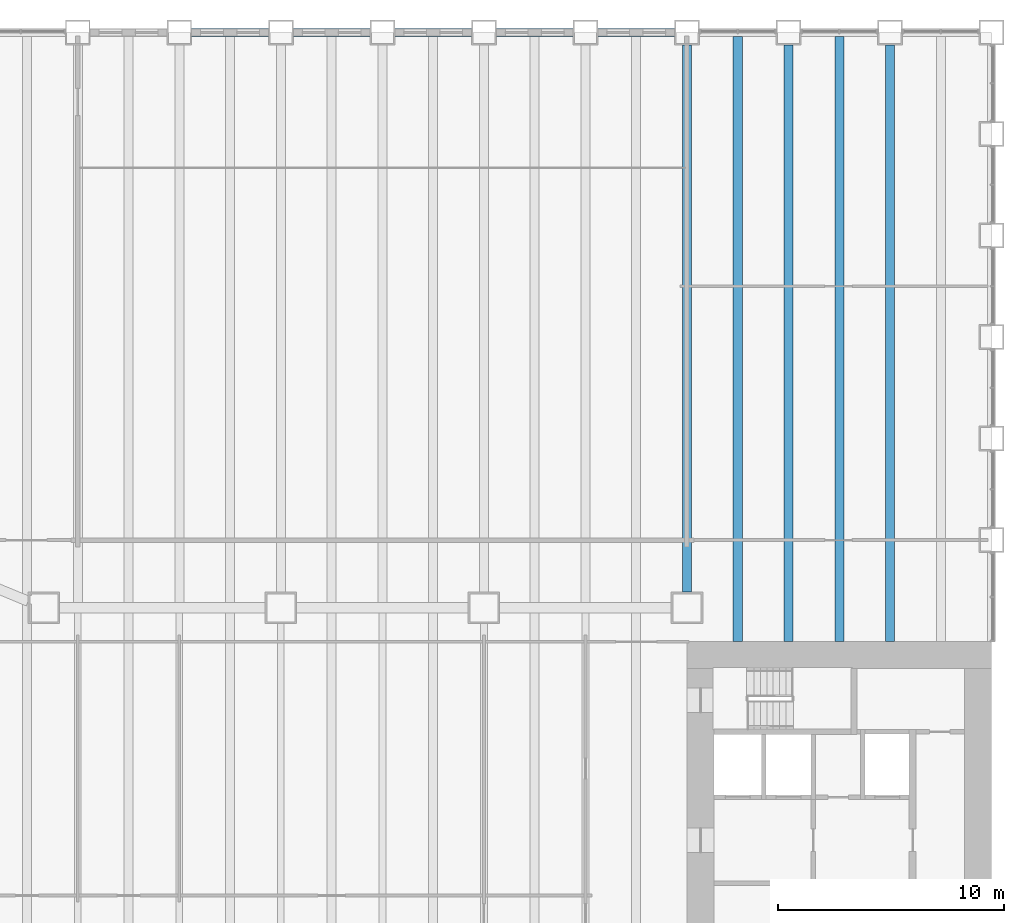
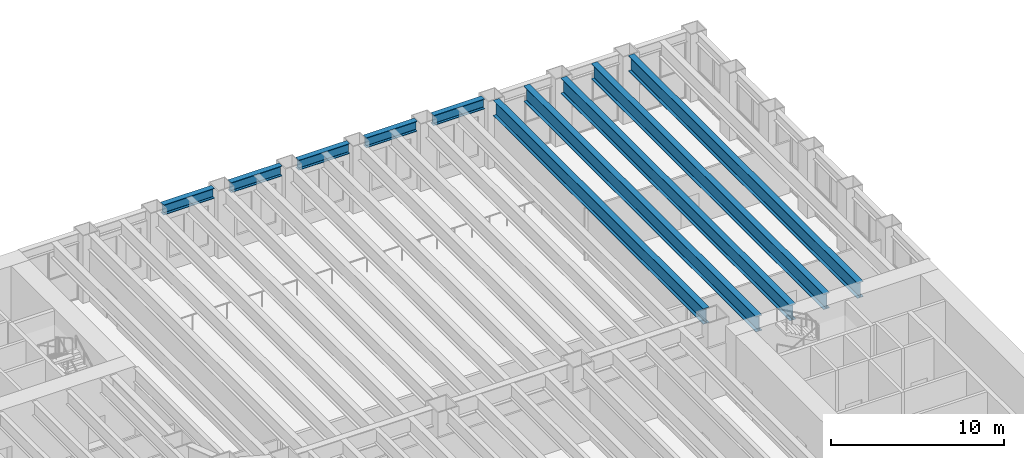
# One storey, part 3 of 19: 10 beams.
"""IFC4 building model written with IfcOpenShell, lengths in metres."""

from ifc_helpers import new_model, si_unit, direction, frame, origin, origin_2d, place, context, subcontext, project, spatial, i_section, extrude, material, material_profile, profile_set, type_object, element, save


model = new_model("IFC4")

# Units and contexts
model_context = context("Model", 3, precision=1e-05, world=origin(), true_north=direction((0.0, 1.0)))
body_context = subcontext(model_context, "Body", "Model", "MODEL_VIEW")
ifc_project = project(units=[si_unit("LENGTHUNIT", "METRE"), si_unit("AREAUNIT", "SQUARE_METRE"), si_unit("VOLUMEUNIT", "CUBIC_METRE"), si_unit("PLANEANGLEUNIT", "RADIAN"), si_unit("MASSUNIT", "GRAM", prefix="KILO")], contexts=[model_context])

# Site, building, storey
site_placement = place(None, origin())
site = spatial("IfcSite", under=ifc_project, at=site_placement, CompositionType="ELEMENT")
building_placement = place(site_placement, origin())
building = spatial("IfcBuilding", under=site, at=building_placement, Name="Sennacour Bend Tower", CompositionType="ELEMENT")
storey_placement = place(building_placement, frame((0.0, 0.0, 14.0)))
storey = spatial("IfcBuildingStorey", under=building, at=storey_placement, Name="L02", CompositionType="ELEMENT", Elevation=14.0)

# Beams
ifc_material = material(Name="Steel ASTM A992 Grade 50", Category="steel")
ifc_material_profile_1 = material_profile(ifc_material, i_section(OverallWidth=0.40087890625, OverallDepth=1.090087890625, WebThickness=0.01806640625, FlangeThickness=0.031005859375, FilletRadius=0.02001953125, at=origin_2d()), Name="Steel ASTM A992 Grade 50", Category="steel")
ifc_profile_set_1 = profile_set([ifc_material_profile_1], Name="Steel ASTM A992 Grade 50")
beam_type_1 = type_object("IfcBeamType", Name="Notch floor beam W1100X343", PredefinedType="BEAM", material=ifc_profile_set_1)
beam_1_placement = place(storey_placement, frame((54.0, 24.699951171875, 4.205078125), z_axis=(0.0, 1.0, 0.0), x_axis=(-1.0, 0.0, 0.0)))
element("IfcBeam", 1, at=beam_1_placement, inside=storey, type_object=beam_type_1, Name="Floor beam FBM4 L03-048", PredefinedType="BEAM", context=body_context, shape_type="SweptSolid", body=[
    extrude(i_section(OverallWidth=0.40087890625, OverallDepth=1.090087890625, WebThickness=0.01806640625, FlangeThickness=0.031005859375, FilletRadius=0.02001953125, at=origin_2d()), origin(), (0.0, 0.0, 1.0), 24.25),
])
beam_2_placement = place(storey_placement, frame((56.25, 22.5, 4.205078125), z_axis=(0.0, 1.0, 0.0), x_axis=(-1.0, 0.0, 0.0)))
element("IfcBeam", 2, at=beam_2_placement, inside=storey, type_object=beam_type_1, Name="Floor beam FBM4 L03-049", PredefinedType="BEAM", context=body_context, shape_type="SweptSolid", body=[
    extrude(i_section(OverallWidth=0.40087890625, OverallDepth=1.090087890625, WebThickness=0.01806640625, FlangeThickness=0.031005859375, FilletRadius=0.02001953125, at=origin_2d()), origin(), (0.0, 0.0, 1.0), 26.822021484375),
])
beam_3_placement = place(storey_placement, frame((58.5, 22.5, 4.205078125), z_axis=(0.0, 1.0, 0.0), x_axis=(-1.0, 0.0, 0.0)))
element("IfcBeam", 3, at=beam_3_placement, inside=storey, type_object=beam_type_1, Name="Floor beam FBM4 L03-050", PredefinedType="BEAM", context=body_context, shape_type="SweptSolid", body=[
    extrude(i_section(OverallWidth=0.40087890625, OverallDepth=1.090087890625, WebThickness=0.01806640625, FlangeThickness=0.031005859375, FilletRadius=0.02001953125, at=origin_2d()), origin(), (0.0, 0.0, 1.0), 26.449951171875),
])
beam_4_placement = place(storey_placement, frame((60.75, 22.5, 4.205078125), z_axis=(0.0, 1.0, 0.0), x_axis=(-1.0, 0.0, 0.0)))
element("IfcBeam", 4, at=beam_4_placement, inside=storey, type_object=beam_type_1, Name="Floor beam FBM4 L03-051", PredefinedType="BEAM", context=body_context, shape_type="SweptSolid", body=[
    extrude(i_section(OverallWidth=0.40087890625, OverallDepth=1.090087890625, WebThickness=0.01806640625, FlangeThickness=0.031005859375, FilletRadius=0.02001953125, at=origin_2d()), origin(), (0.0, 0.0, 1.0), 26.822021484375),
])
beam_5_placement = place(storey_placement, frame((63.0, 22.5, 4.205078125), z_axis=(0.0, 1.0, 0.0), x_axis=(-1.0, 0.0, 0.0)))
element("IfcBeam", 5, at=beam_5_placement, inside=storey, type_object=beam_type_1, Name="Floor beam FBM4 L03-052", PredefinedType="BEAM", context=body_context, shape_type="SweptSolid", body=[
    extrude(i_section(OverallWidth=0.40087890625, OverallDepth=1.090087890625, WebThickness=0.01806640625, FlangeThickness=0.031005859375, FilletRadius=0.02001953125, at=origin_2d()), origin(), (0.0, 0.0, 1.0), 26.449951171875),
])
ifc_material_profile_2 = material_profile(ifc_material, i_section(OverallWidth=0.35595703125, OverallDepth=0.714111328125, WebThickness=0.01904296875, FlangeThickness=0.033935546875, FilletRadius=0.02001953125, at=origin_2d()), Name="Steel ASTM A992 Grade 50", Category="steel")
ifc_profile_set_2 = profile_set([ifc_material_profile_2], Name="Steel ASTM A992 Grade 50")
beam_type_2 = type_object("IfcBeamType", Name="Spandrel beam W690X289", PredefinedType="SPANDREL", material=ifc_profile_set_2)
for number, where, z_axis, x_axis, name in (
    (6, (53.449951171875, 49.5, 4.39306640625), (-1.0, 0.0, 0.0), (0.0, -1.0, 0.0), "Spandrel beam SP1 L03-009"),
    (7, (48.949951171875, 49.5, 4.39306640625), (-1.0, 0.0, 0.0), (0.0, -1.0, 0.0), "Spandrel beam SP1 L03-010"),
    (8, (44.449951171875, 49.5, 4.39306640625), (-1.0, 0.0, 0.0), (0.0, -1.0, 0.0), "Spandrel beam SP1 L03-011"),
    (9, (39.949951171875, 49.5, 4.39306640625), (-1.0, 0.0, 0.0), (0.0, -1.0, 0.0), "Spandrel beam SP1 L03-012"),
    (10, (35.449951171875, 49.5, 4.39306640625), (-1.0, 0.0, 0.0), (0.0, -1.0, 0.0), "Spandrel beam SP1 L03-013"),
):
    element("IfcBeam", number, at=place(storey_placement, frame(where, z_axis=z_axis, x_axis=x_axis)), inside=storey, type_object=beam_type_2, Name=name, PredefinedType="SPANDREL", context=body_context, shape_type="SweptSolid", body=[
        extrude(i_section(OverallWidth=0.35595703125, OverallDepth=0.714111328125, WebThickness=0.01904296875, FlangeThickness=0.033935546875, FilletRadius=0.02001953125, at=origin_2d()), origin(), (0.0, 0.0, 1.0), 3.39990234375),
    ])

save(model, "model.ifc")
